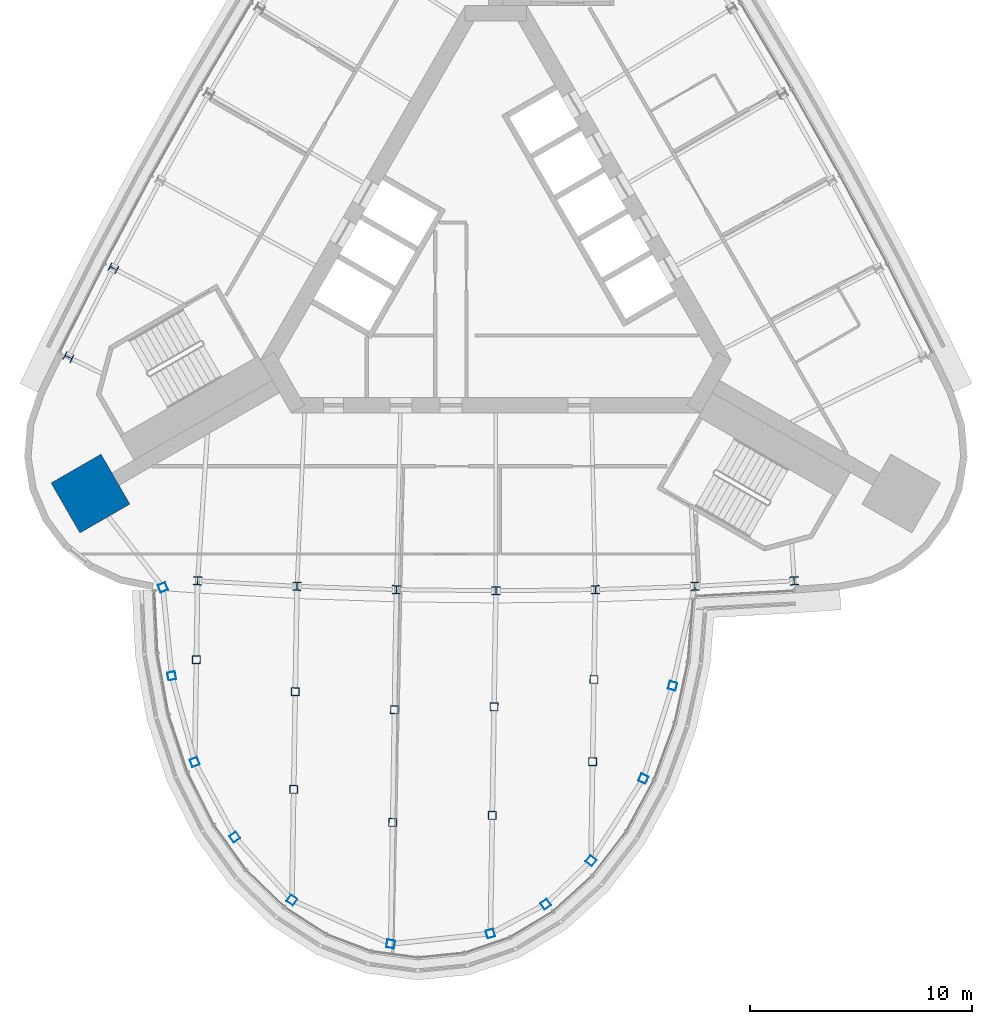
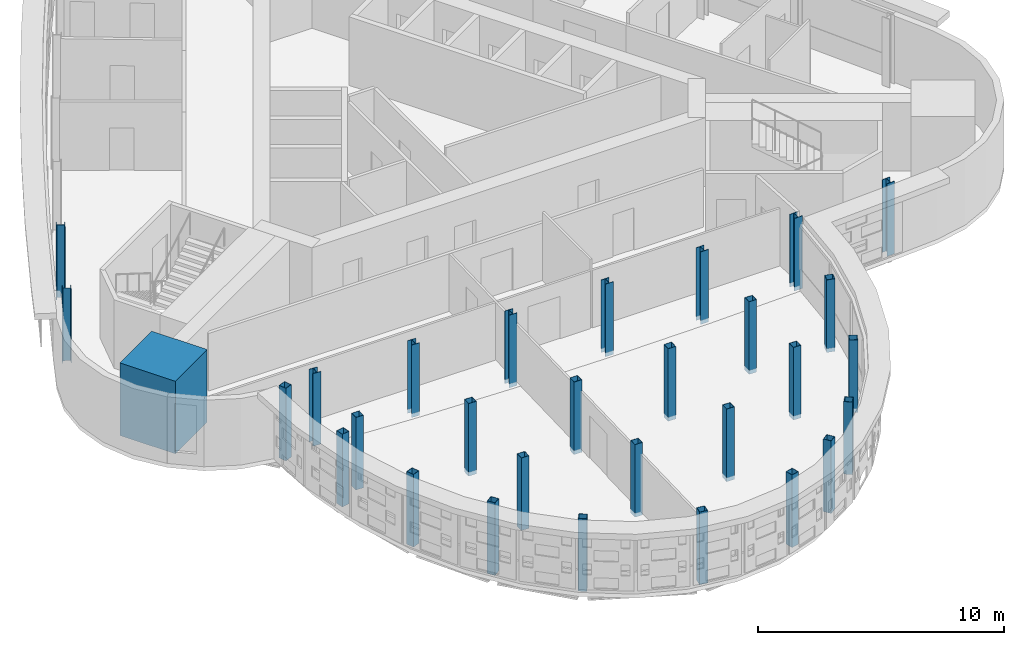
# One storey, part 1 of 14: 30 columns.
"""IFC4 building model written with IfcOpenShell, lengths in metres."""

from ifc_helpers import new_model, si_unit, direction, frame, origin, origin_2d, place, context, subcontext, project, spatial, rectangle, hollow_rectangle, i_section, extrude, material, material_profile, profile_set, type_object, element, save


model = new_model("IFC4")

# Units and contexts
model_context = context("Model", 3, precision=1e-05, world=origin(), true_north=direction((0.0, 1.0)))
body_context = subcontext(model_context, "Body", "Model", "MODEL_VIEW")
ifc_project = project(units=[si_unit("LENGTHUNIT", "METRE"), si_unit("AREAUNIT", "SQUARE_METRE"), si_unit("VOLUMEUNIT", "CUBIC_METRE"), si_unit("PLANEANGLEUNIT", "RADIAN"), si_unit("MASSUNIT", "GRAM", prefix="KILO")], contexts=[model_context])

# Site, building, storey
site_placement = place(None, origin())
site = spatial("IfcSite", under=ifc_project, at=site_placement, CompositionType="ELEMENT")
building_placement = place(site_placement, origin())
building = spatial("IfcBuilding", under=site, at=building_placement, Name="Noor Cloister Tower", CompositionType="ELEMENT")
storey_placement = place(building_placement, frame((0.0, 0.0, 218.39990234375)))
storey = spatial("IfcBuildingStorey", under=building, at=storey_placement, Name="L56", CompositionType="ELEMENT", Elevation=218.39990234375)

# Columns
ifc_material_1 = material(Name="Steel ASTM A992 Gr 50", Category="steel")
ifc_material_profile_1 = material_profile(ifc_material_1, i_section(OverallWidth=0.373046875, OverallDepth=0.367919921875, WebThickness=0.014892578125, FlangeThickness=0.02392578125, FilletRadius=0.01513671875, at=origin_2d()), Name="W360x179")
ifc_profile_set_1 = profile_set([ifc_material_profile_1], Name="Steel ASTM A992 Gr 50")
column_type_1 = type_object("IfcColumnType", Name="Column W360x179", PredefinedType="COLUMN", material=ifc_profile_set_1)
for number, where, z_axis, x_axis, name in (
    (1, (-17.253173828125, -0.399658203125, -0.199951171875), (0.0, 0.0, 1.0), (-0.461186480588, -0.887303234595, 0.0), "Column NW 06 L56"),
    (2, (-19.278564453125, -4.404296875, -0.199951171875), (0.0, 0.0, 1.0), (-0.441436057324, -0.89729270993, 0.0), "Column NW 07 L56"),
    (3, (-13.45361328125, -14.49365234375, -0.199951171875), (0.0, 0.0, 1.0), (0.997796310092, -0.066351515176, 0.0), "Column S 01 L56"),
    (4, (-8.97265625, -14.741943359375, -0.199951171875), (0.0, 0.0, 1.0), (0.999020382313, -0.044252409227, 0.0), "Column S 02 L56"),
    (5, (-4.487548828125, -14.890869140625, -0.199951171875), (0.0, 0.0, 1.0), (0.999755065582, -0.022131625419, 0.0), "Column S 03 L56"),
    (6, (0.0, -14.9404296875, -0.199951171875), (0.0, 0.0, 1.0), (1.0, 0.0, 0.0), "Column S 04 L56"),
    (7, (4.487548828125, -14.890869140625, -0.199951171875), (0.0, 0.0, 1.0), (0.999755065582, 0.022131625419, 0.0), "Column S 05 L56"),
    (8, (8.97265625, -14.741943359375, -0.199951171875), (0.0, 0.0, 1.0), (0.999020382313, 0.044252409227, 0.0), "Column S 06 L56"),
    (9, (13.45361328125, -14.49365234375, -0.199951171875), (0.0, 0.0, 1.0), (0.997796310092, 0.066351515176, 0.0), "Column S 07 L56"),
):
    element("IfcColumn", number, at=place(storey_placement, frame(where, z_axis=z_axis, x_axis=x_axis)), inside=storey, type_object=column_type_1, Name=name, PredefinedType="COLUMN", context=body_context, shape_type="SweptSolid", body=[
        extrude(i_section(OverallWidth=0.373046875, OverallDepth=0.367919921875, WebThickness=0.014892578125, FlangeThickness=0.02392578125, FilletRadius=0.01513671875, at=origin_2d()), origin(), (0.0, 0.0, 1.0), 3.60009765625),
    ])
ifc_material_2 = material(Name="Concrete C60/75", Category="concrete")
ifc_material_profile_2 = material_profile(ifc_material_2, rectangle(XDim=2.60009765625, YDim=2.60009765625, at=origin_2d()), Name="RC 2600x2600")
ifc_profile_set_2 = profile_set([ifc_material_profile_2], Name="Concrete C60/75")
column_type_2 = type_object("IfcColumnType", Name="Corner pier 2600 x 2600 C60/75", PredefinedType="COLUMN", material=ifc_profile_set_2)
column_placement = place(storey_placement, frame((-18.2861328125, -10.5576171875, -0.199951171875), z_axis=(0.0, 0.0, 1.0), x_axis=(-0.866025403784, -0.5, 0.0)))
element("IfcColumn", 10, at=column_placement, inside=storey, type_object=column_type_2, Name="Corner pier SW L56", PredefinedType="COLUMN", context=body_context, shape_type="SweptSolid", body=[
    extrude(rectangle(XDim=2.60009765625, YDim=2.60009765625, at=origin_2d()), origin(), (0.0, 0.0, 1.0), 3.60009765625),
])
ifc_material_3 = material(Name="Steel ASTM A500 Gr C", Category="steel")
ifc_material_profile_3 = material_profile(ifc_material_3, hollow_rectangle(XDim=0.35595703125, YDim=0.35595703125, WallThickness=0.0126953125, at=origin_2d()), Name="HSS355.6x355.6x12.7")
ifc_profile_set_3 = profile_set([ifc_material_profile_3], Name="Steel ASTM A500 Gr C")
column_type_3 = type_object("IfcColumnType", Name="Pod post HSS355.6x355.6x12.7", PredefinedType="COLUMN", material=ifc_profile_set_3)
for number, where, z_axis, x_axis, name in (
    (11, (-13.5107421875, -18.053466796875, -0.199951171875), (0.0, 0.0, 1.0), (-0.016039464463, -0.999871359516, 0.0), "Pod post 4 L56 line 1 node 1"),
    (12, (-9.049072265625, -19.49462890625, -0.199951171875), (0.0, 0.0, 1.0), (-0.016039464463, -0.999871359516, 0.0), "Pod post 4 L56 line 2 node 1"),
    (13, (-9.11962890625, -23.901611328125, -0.199951171875), (0.0, 0.0, 1.0), (-0.016039464463, -0.999871359516, 0.0), "Pod post 4 L56 line 2 node 2"),
    (14, (-4.574462890625, -20.312744140625, -0.199951171875), (0.0, 0.0, 1.0), (-0.016039464463, -0.999871359516, 0.0), "Pod post 4 L56 line 3 node 1"),
    (15, (-4.656005859375, -25.392822265625, -0.199951171875), (0.0, 0.0, 1.0), (-0.016039464463, -0.999871359516, 0.0), "Pod post 4 L56 line 3 node 2"),
    (16, (-0.083984375, -20.17919921875, -0.199951171875), (0.0, 0.0, 1.0), (-0.016039464463, -0.999871359516, 0.0), "Pod post 4 L56 line 4 node 1"),
    (17, (-0.16259765625, -25.07421875, -0.199951171875), (0.0, 0.0, 1.0), (-0.016039464463, -0.999871359516, 0.0), "Pod post 4 L56 line 4 node 2"),
    (18, (4.42236328125, -18.9443359375, -0.199951171875), (0.0, 0.0, 1.0), (-0.016039464463, -0.999871359516, 0.0), "Pod post 4 L56 line 5 node 1"),
    (19, (4.363037109375, -22.650146484375, -0.199951171875), (0.0, 0.0, 1.0), (-0.016039464463, -0.999871359516, 0.0), "Pod post 4 L56 line 5 node 2"),
    (20, (-15.020751953125, -14.789794921875, -0.199951171875), (0.0, 0.0, 1.0), (0.370053104001, -0.929010602856, 0.0), "Pod post 4 L56 ring 2"),
    (21, (-14.622802734375, -18.781005859375, -0.199951171875), (0.0, 0.0, 1.0), (0.179301974184, -0.983794085189, 0.0), "Pod post 4 L56 ring 3"),
    (22, (-13.584716796875, -22.66943359375, -0.199951171875), (0.0, 0.0, 1.0), (0.364969421479, -0.931019506447, 0.0), "Pod post 4 L56 ring 4"),
    (23, (-11.772705078125, -26.0517578125, -0.199951171875), (0.0, 0.0, 1.0), (0.575844384689, -0.817559321776, 0.0), "Pod post 4 L56 ring 5"),
    (24, (-9.19970703125, -28.89501953125, -0.199951171875), (0.0, 0.0, 1.0), (0.824616610555, -0.565692005951, 0.0), "Pod post 4 L56 ring 6"),
    (25, (-4.743896484375, -30.87353515625, -0.199951171875), (0.0, 0.0, 1.0), (0.986089930932, -0.166212659308, 0.0), "Pod post 4 L56 ring 7"),
    (26, (-0.248046875, -30.404052734375, -0.199951171875), (0.0, 0.0, 1.0), (0.968527880789, 0.248905090614, 0.0), "Pod post 4 L56 ring 8"),
    (27, (2.246337890625, -29.0771484375, -0.199951171875), (0.0, 0.0, 1.0), (0.810277438897, 0.586046475986, 0.0), "Pod post 4 L56 ring 9"),
    (28, (4.291259765625, -27.120849609375, -0.199951171875), (0.0, 0.0, 1.0), (0.614121771124, 0.789211283644, 0.0), "Pod post 4 L56 ring 10"),
    (29, (6.649658203125, -23.418212890625, -0.199951171875), (0.0, 0.0, 1.0), (0.422538368102, 0.906345037765, 0.0), "Pod post 4 L56 ring 11"),
    (30, (7.969970703125, -19.229736328125, -0.199951171875), (0.0, 0.0, 1.0), (0.259465118082, 0.965752479934, 0.0), "Pod post 4 L56 ring 12"),
):
    element("IfcColumn", number, at=place(storey_placement, frame(where, z_axis=z_axis, x_axis=x_axis)), inside=storey, type_object=column_type_3, Name=name, PredefinedType="COLUMN", context=body_context, shape_type="SweptSolid", body=[
        extrude(hollow_rectangle(XDim=0.35595703125, YDim=0.35595703125, WallThickness=0.0126953125, at=origin_2d()), origin(), (0.0, 0.0, 1.0), 3.60009765625),
    ])

save(model, "model.ifc")
